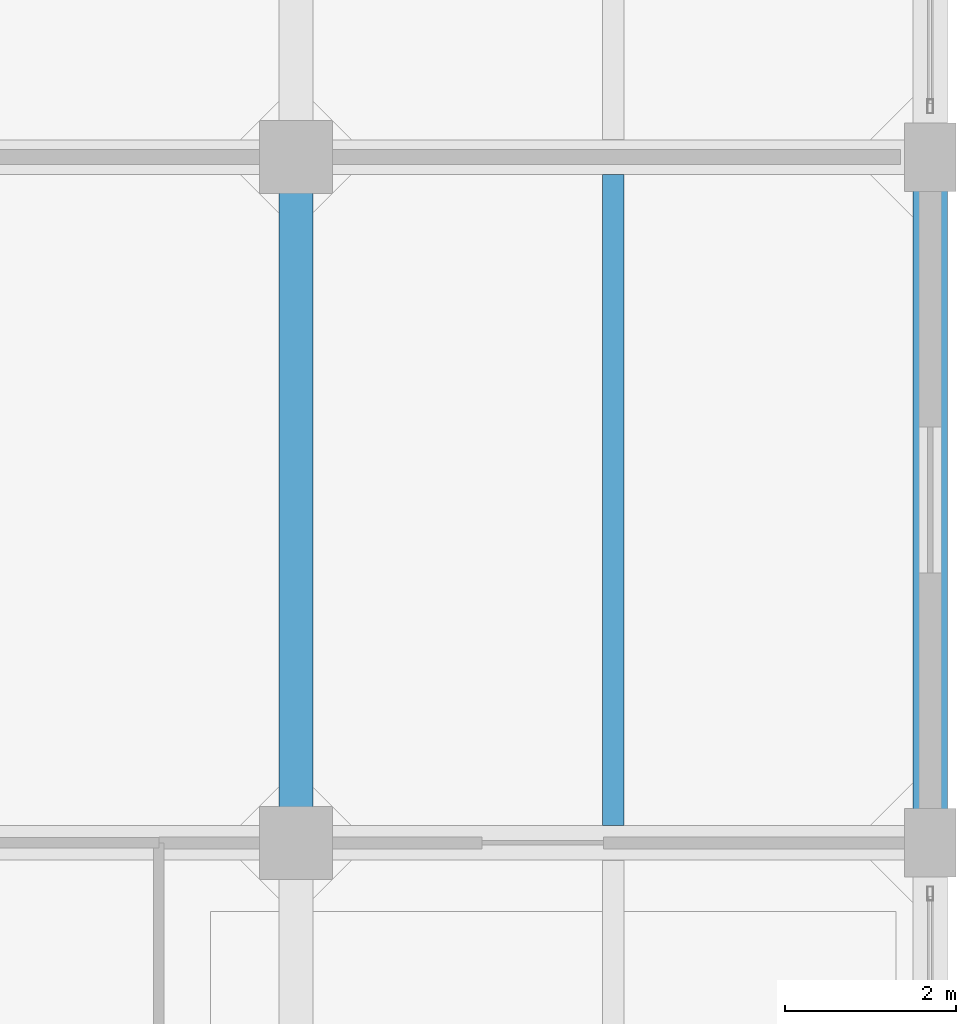
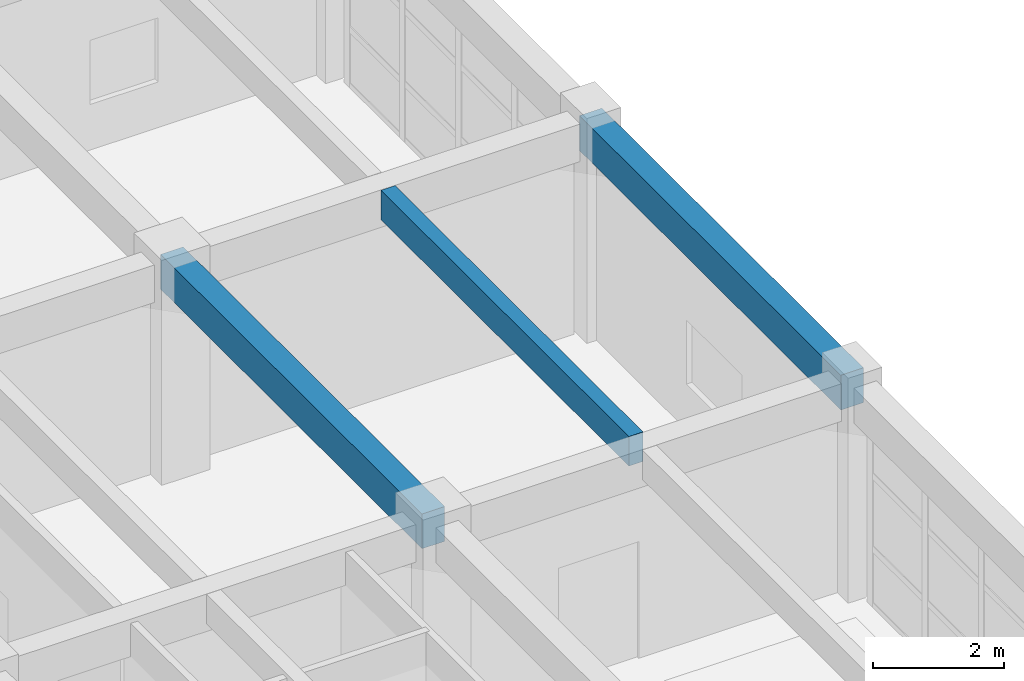
# One storey, part 12 of 27: 3 beams.
"""IFC4 building model written with IfcOpenShell, lengths in metres."""

from ifc_helpers import new_model, si_unit, direction, frame, origin, origin_2d, place, context, subcontext, project, spatial, rectangle, extrude, material, material_profile, profile_set, type_object, element, save


model = new_model("IFC4")

# Units and contexts
model_context = context("Model", 3, precision=1e-05, world=origin(), true_north=direction((0.0, 1.0)))
body_context = subcontext(model_context, "Body", "Model", "MODEL_VIEW")
ifc_project = project(units=[si_unit("LENGTHUNIT", "METRE"), si_unit("AREAUNIT", "SQUARE_METRE"), si_unit("VOLUMEUNIT", "CUBIC_METRE"), si_unit("PLANEANGLEUNIT", "RADIAN"), si_unit("MASSUNIT", "GRAM", prefix="KILO")], contexts=[model_context])

# Site, building, storey
site_placement = place(None, origin())
site = spatial("IfcSite", under=ifc_project, at=site_placement, CompositionType="ELEMENT")
building_placement = place(site_placement, origin())
building = spatial("IfcBuilding", under=site, at=building_placement, Name="Canggui Botanical Conservatory", CompositionType="ELEMENT")
storey_placement = place(building_placement, frame((0.0, 0.0, 31.800048828125)))
storey = spatial("IfcBuildingStorey", under=building, at=storey_placement, Name="L08", CompositionType="ELEMENT", Elevation=31.800048828125)

# Beams
ifc_material = material(Name="Concrete C35", Category="concrete")
ifc_material_profile_1 = material_profile(ifc_material, rectangle(XDim=0.25, YDim=0.550048828125, at=origin_2d()), Name="RB 250x550")
ifc_profile_set_1 = profile_set([ifc_material_profile_1], Name="Concrete C35")
beam_type_1 = type_object("IfcBeamType", Name="BM-JST03", PredefinedType="JOIST", material=ifc_profile_set_1)
beam_placement = place(storey_placement, frame((173.699951171875, 58.205078125, 3.704833984375), z_axis=(0.0, 1.0, 0.0), x_axis=(-1.0, 0.0, 0.0)))
element("IfcBeam", 1, at=beam_placement, inside=storey, type_object=beam_type_1, Name="Secondary Floor Joist L08-5-4", PredefinedType="JOIST", context=body_context, shape_type="SweptSolid", body=[
    extrude(rectangle(XDim=0.25, YDim=0.550048828125, at=origin_2d()), origin(), (0.0, 0.0, 1.0), 7.58984375),
])
ifc_material_profile_2 = material_profile(ifc_material, rectangle(XDim=0.39990234375, YDim=0.64990234375, at=origin_2d()), Name="RB 400x650")
ifc_profile_set_2 = profile_set([ifc_material_profile_2], Name="Concrete C35")
beam_type_2 = type_object("IfcBeamType", Name="BM-KL12", PredefinedType="BEAM", material=ifc_profile_set_2)
for number, where, z_axis, x_axis, name in (
    (2, (170.0, 58.0, 3.655029296875), (0.0, 1.0, 0.0), (-1.0, 0.0, 0.0), "Frame Girder L08 X170-4"),
    (3, (177.39990234375, 58.0, 3.655029296875), (0.0, 1.0, 0.0), (-1.0, 0.0, 0.0), "Frame Girder L08 X178-4"),
):
    element("IfcBeam", number, at=place(storey_placement, frame(where, z_axis=z_axis, x_axis=x_axis)), inside=storey, type_object=beam_type_2, Name=name, PredefinedType="BEAM", context=body_context, shape_type="SweptSolid", body=[
        extrude(rectangle(XDim=0.39990234375, YDim=0.64990234375, at=origin_2d()), origin(), (0.0, 0.0, 1.0), 8.0),
    ])

save(model, "model.ifc")
